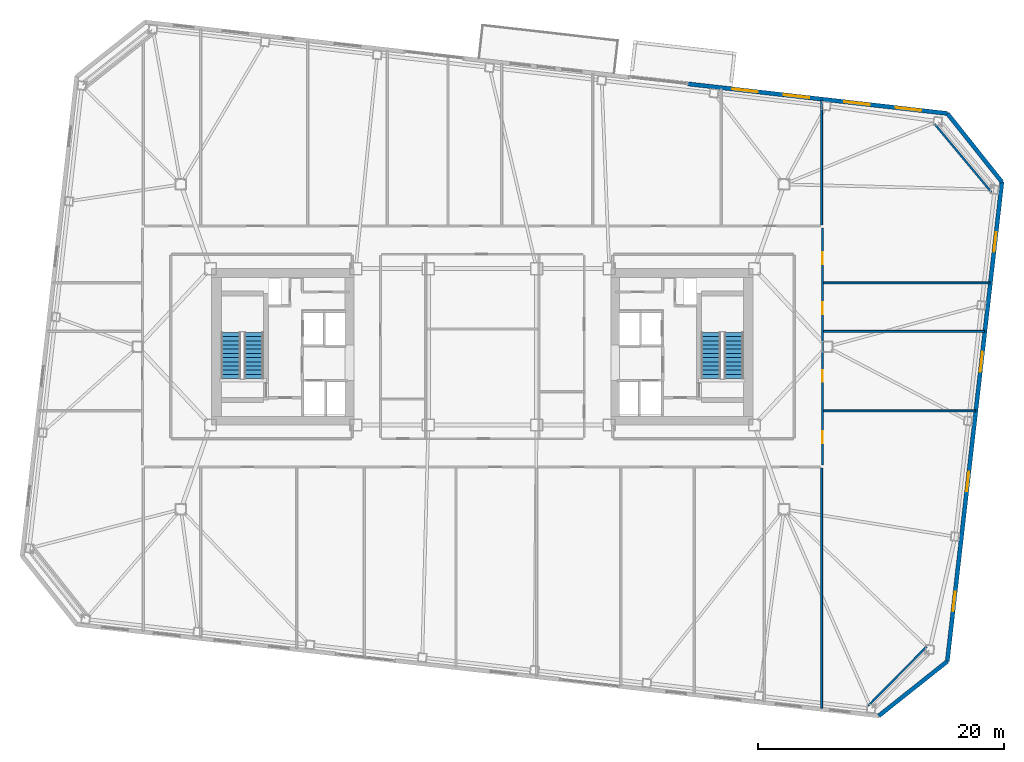
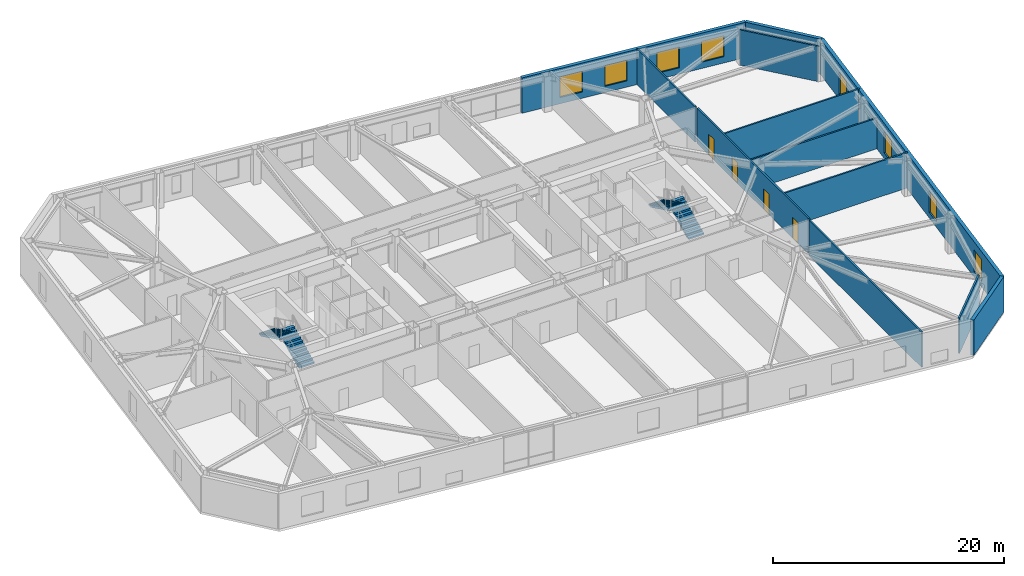
# One storey, part 15 of 21: 12 walls, 8 windows, 4 doors, 4 stair flights, 12 openings, 2 elements without a shape of their own.
"""IFC4 building model written with IfcOpenShell, lengths in metres."""

from ifc_helpers import new_model, si_unit, direction, frame, frame_2d, origin, place, context, subcontext, project, spatial, polyline, rectangle, outline, extrude, material, layer, layer_set, type_object, element, fill, aggregate, save


model = new_model("IFC4")

# Units and contexts
model_context = context("Model", 3, precision=1e-05, world=origin(), true_north=direction((0.0, 1.0)))
body_context = subcontext(model_context, "Body", "Model", "MODEL_VIEW")
ifc_project = project(units=[si_unit("LENGTHUNIT", "METRE"), si_unit("AREAUNIT", "SQUARE_METRE"), si_unit("VOLUMEUNIT", "CUBIC_METRE"), si_unit("PLANEANGLEUNIT", "RADIAN"), si_unit("MASSUNIT", "GRAM", prefix="KILO")], contexts=[model_context])

# Site, building, storey
site_placement = place(None, origin())
site = spatial("IfcSite", under=ifc_project, at=site_placement, CompositionType="ELEMENT")
building_placement = place(site_placement, origin())
building = spatial("IfcBuilding", under=site, at=building_placement, Name="Tavrogorsk Clinical Tower", CompositionType="ELEMENT")
storey_placement = place(building_placement, frame((0.0, 0.0, 125.39990234375)))
storey = spatial("IfcBuildingStorey", under=building, at=storey_placement, Name="L28", CompositionType="ELEMENT", Elevation=125.39990234375)

# Walls
ifc_material_1 = material(Name="Lightweight concrete blockwork B15", Category="masonry")
ifc_layer_1 = layer(ifc_material_1, 0.159912109375)
ifc_layer_set_1 = layer_set([ifc_layer_1], Name="Lightweight concrete blockwork B15")
wall_type_1 = type_object("IfcWallType", Name="PartitionWall_160", PredefinedType="PARTITIONING", material=ifc_layer_set_1)
wall_1_placement = place(storey_placement, frame((31.34130859375, -29.162109375, 0.0), z_axis=(0.0, 0.0, 1.0), x_axis=(0.702905898933, 0.711282853192, 0.0)))
element("IfcWall", 1, at=wall_1_placement, inside=storey, type_object=wall_type_1, Name="L28 Corner Exoskeleton Brace Furring Wall 1", PredefinedType="PARTITIONING", context=body_context, shape_type="SweptSolid", body=[
    extrude(rectangle(XDim=6.761474609375, YDim=0.159912109375, at=frame_2d((3.380859375, 0.0))), origin(), (0.0, 0.0, 1.0), 3.739990234375),
])
wall_2_placement = place(storey_placement, frame((41.36083984375, 12.555908203125, 0.0), z_axis=(0.0, 0.0, 1.0), x_axis=(-0.640217638562, 0.768193579298, 0.0)))
element("IfcWall", 2, at=wall_2_placement, inside=storey, type_object=wall_type_1, Name="L28 Corner Exoskeleton Brace Furring Wall 2", PredefinedType="PARTITIONING", context=body_context, shape_type="SweptSolid", body=[
    extrude(rectangle(XDim=7.224365234375, YDim=0.159912109375, at=frame_2d((3.6123046875, 0.0))), origin(), (0.0, 0.0, 1.0), 3.739990234375),
])

# Wall, openings, doors
wall_3_placement = place(storey_placement, frame((27.6298828125, 9.6650390625, 0.0), z_axis=(0.0, 0.0, 1.0), x_axis=(0.0, -1.0, 0.0)))
wall_3 = element("IfcWall", 3, at=wall_3_placement, inside=storey, type_object=wall_type_1, Name="L28 Corridor Partition 03", PredefinedType="PARTITIONING", context=body_context, shape_type="SweptSolid", body=[
    extrude(rectangle(XDim=19.280029296875, YDim=0.159912109375, at=frame_2d((9.64013671875, 0.0))), origin(), (0.0, 0.0, 1.0), 3.739990234375),
])
opening_1_placement = place(wall_3_placement, frame((16.531005859375, 0.0, 0.0)))
opening_1 = element("IfcOpeningElement", 4, at=opening_1_placement, cuts=wall_3, Name="Opening ID-02", PredefinedType="OPENING", context=body_context, shape_type="SweptSolid", body=[
    extrude(rectangle(XDim=0.949951171875, YDim=2.199951171875, at=frame_2d((0.47509765625, 1.10009765625))), frame((0.0, 0.08984375, 0.0), z_axis=(0.0, -1.0, 0.0), x_axis=(1.0, 0.0, 0.0)), (0.0, 0.0, 1.0), 0.179931640625),
])
opening_2_placement = place(wall_3_placement, frame((11.550048828125, 0.0, 0.0)))
opening_2 = element("IfcOpeningElement", 5, at=opening_2_placement, cuts=wall_3, Name="Opening ID-02", PredefinedType="OPENING", context=body_context, shape_type="SweptSolid", body=[
    extrude(rectangle(XDim=0.949951171875, YDim=2.199951171875, at=frame_2d((0.47509765625, 1.10009765625))), frame((0.0, 0.08984375, 0.0), z_axis=(0.0, -1.0, 0.0), x_axis=(1.0, 0.0, 0.0)), (0.0, 0.0, 1.0), 0.179931640625),
])
opening_3_placement = place(wall_3_placement, frame((6.050048828125, 0.0, 0.0)))
opening_3 = element("IfcOpeningElement", 6, at=opening_3_placement, cuts=wall_3, Name="Opening ID-02", PredefinedType="OPENING", context=body_context, shape_type="SweptSolid", body=[
    extrude(rectangle(XDim=0.949951171875, YDim=2.199951171875, at=frame_2d((0.47509765625, 1.10009765625))), frame((0.0, 0.08984375, 0.0), z_axis=(0.0, -1.0, 0.0), x_axis=(1.0, 0.0, 0.0)), (0.0, 0.0, 1.0), 0.179931640625),
])
opening_4_placement = place(wall_3_placement, frame((1.994140625, 0.0, 0.0)))
opening_4 = element("IfcOpeningElement", 7, at=opening_4_placement, cuts=wall_3, Name="Opening ID-02", PredefinedType="OPENING", context=body_context, shape_type="SweptSolid", body=[
    extrude(rectangle(XDim=0.949951171875, YDim=2.199951171875, at=frame_2d((0.47509765625, 1.10009765625))), frame((0.0, 0.08984375, 0.0), z_axis=(0.0, -1.0, 0.0), x_axis=(1.0, 0.0, 0.0)), (0.0, 0.0, 1.0), 0.179931640625),
])
ifc_material_2 = material(Name="Laminated timber leaf on aluminium frame", Category="wood")
door_type = type_object("IfcDoorType", Name="InteriorDoor_ID02_950", OperationType="NOTDEFINED", PredefinedType="DOOR", material=ifc_material_2)
door_1_placement = place(opening_1_placement, origin())
door_1 = element("IfcDoor", 8, at=door_1_placement, inside=storey, type_object=door_type, Name="L28 E Senior Clinician Suite 1 Door", OperationType="SINGLE_SWING_RIGHT", OverallHeight=2.199951171875, OverallWidth=0.949951171875, PredefinedType="DOOR", context=body_context, shape_type="SweptSolid", body=[
    extrude(rectangle(XDim=0.949951171875, YDim=2.199951171875, at=frame_2d((0.47509765625, 1.10009765625))), frame((0.0, 0.02490234375, 0.0), z_axis=(0.0, -1.0, 0.0), x_axis=(1.0, 0.0, 0.0)), (0.0, 0.0, 1.0), 0.050048828125),
])
fill(opening_1, door_1)
door_2_placement = place(opening_2_placement, origin())
door_2 = element("IfcDoor", 9, at=door_2_placement, inside=storey, type_object=door_type, Name="L28 E Multidisciplinary Seminar Suite 2 Door", OperationType="SINGLE_SWING_LEFT", OverallHeight=2.199951171875, OverallWidth=0.949951171875, PredefinedType="DOOR", context=body_context, shape_type="SweptSolid", body=[
    extrude(rectangle(XDim=0.949951171875, YDim=2.199951171875, at=frame_2d((0.47509765625, 1.10009765625))), frame((0.0, 0.02490234375, 0.0), z_axis=(0.0, -1.0, 0.0), x_axis=(1.0, 0.0, 0.0)), (0.0, 0.0, 1.0), 0.050048828125),
])
fill(opening_2, door_2)
door_3_placement = place(opening_3_placement, origin())
door_3 = element("IfcDoor", 10, at=door_3_placement, inside=storey, type_object=door_type, Name="L28 E Specialist Consultation Room 3 Door", OperationType="SINGLE_SWING_RIGHT", OverallHeight=2.199951171875, OverallWidth=0.949951171875, PredefinedType="DOOR", context=body_context, shape_type="SweptSolid", body=[
    extrude(rectangle(XDim=0.949951171875, YDim=2.199951171875, at=frame_2d((0.47509765625, 1.10009765625))), frame((0.0, 0.02490234375, 0.0), z_axis=(0.0, -1.0, 0.0), x_axis=(1.0, 0.0, 0.0)), (0.0, 0.0, 1.0), 0.050048828125),
])
fill(opening_3, door_3)
door_4_placement = place(opening_4_placement, origin())
door_4 = element("IfcDoor", 11, at=door_4_placement, inside=storey, type_object=door_type, Name="L28 E Clinical Fellows' Study 4 Door", OperationType="SINGLE_SWING_LEFT", OverallHeight=2.199951171875, OverallWidth=0.949951171875, PredefinedType="DOOR", context=body_context, shape_type="SweptSolid", body=[
    extrude(rectangle(XDim=0.949951171875, YDim=2.199951171875, at=frame_2d((0.47509765625, 1.10009765625))), frame((0.0, 0.02490234375, 0.0), z_axis=(0.0, -1.0, 0.0), x_axis=(1.0, 0.0, 0.0)), (0.0, 0.0, 1.0), 0.050048828125),
])
fill(opening_4, door_4)

# Walls
wall_4_placement = place(storey_placement, frame((27.550048828125, 9.9150390625, 0.0), z_axis=(0.0, 0.0, 1.0), x_axis=(0.0, 1.0, 0.0)))
element("IfcWall", 12, at=wall_4_placement, inside=storey, type_object=wall_type_1, Name="L28 NE Wing Closure Partition", PredefinedType="PARTITIONING", context=body_context, shape_type="SweptSolid", body=[
    extrude(rectangle(XDim=10.138427734375, YDim=0.159912109375, at=frame_2d((5.0693359375, 0.0))), origin(), (0.0, 0.0, 1.0), 3.739990234375),
])
wall_5_placement = place(storey_placement, frame((27.550048828125, -29.384521484375, 0.0), z_axis=(0.0, 0.0, 1.0), x_axis=(0.0, 1.0, 0.0)))
element("IfcWall", 13, at=wall_5_placement, inside=storey, type_object=wall_type_1, Name="L28 SE Wing Closure Partition", PredefinedType="PARTITIONING", context=body_context, shape_type="SweptSolid", body=[
    extrude(rectangle(XDim=19.51953125, YDim=0.159912109375, at=frame_2d((9.759765625, 0.0))), origin(), (0.0, 0.0, 1.0), 3.739990234375),
])
wall_6_placement = place(storey_placement, frame((27.715087890625, -5.199951171875, 0.0), z_axis=(0.0, 0.0, 1.0), x_axis=(1.0, 0.0, 0.0)))
element("IfcWall", 14, at=wall_6_placement, inside=storey, type_object=wall_type_1, Name="L28 E Wing Divider 1", PredefinedType="PARTITIONING", context=body_context, shape_type="SweptSolid", body=[
    extrude(rectangle(XDim=12.35205078125, YDim=0.159912109375, at=frame_2d((6.176025390625, 0.0))), origin(), (0.0, 0.0, 1.0), 3.739990234375),
])
wall_7_placement = place(storey_placement, frame((27.715087890625, 1.25, 0.0), z_axis=(0.0, 0.0, 1.0), x_axis=(1.0, 0.0, 0.0)))
element("IfcWall", 15, at=wall_7_placement, inside=storey, type_object=wall_type_1, Name="L28 E Wing Divider 2", PredefinedType="PARTITIONING", context=body_context, shape_type="SweptSolid", body=[
    extrude(rectangle(XDim=13.0869140625, YDim=0.159912109375, at=frame_2d((6.54345703125, 0.0))), origin(), (0.0, 0.0, 1.0), 3.235107421875),
])
wall_8_placement = place(storey_placement, frame((27.715087890625, 5.199951171875, 0.0), z_axis=(0.0, 0.0, 1.0), x_axis=(1.0, 0.0, 0.0)))
element("IfcWall", 16, at=wall_8_placement, inside=storey, type_object=wall_type_1, Name="L28 E Wing Divider 3", PredefinedType="PARTITIONING", context=body_context, shape_type="SweptSolid", body=[
    extrude(rectangle(XDim=13.537109375, YDim=0.159912109375, at=frame_2d((6.7685546875, 0.0))), origin(), (0.0, 0.0, 1.0), 3.739990234375),
])

# Wall, openings, windows
ifc_material_3 = material(Name="Precast concrete B45 with limestone cladding", Category="masonry")
ifc_layer_2 = layer(ifc_material_3, 0.340087890625)
ifc_layer_set_2 = layer_set([ifc_layer_2], Name="Precast concrete B45 with limestone cladding")
wall_type_2 = type_object("IfcWallType", Name="PrecastLimestoneWall_340", PredefinedType="STANDARD", material=ifc_layer_set_2)
wall_9_placement = place(storey_placement, frame((37.77734375, 18.95849609375, 0.0), z_axis=(0.0, 0.0, 1.0), x_axis=(-0.993571362037, 0.113207546299, 0.0)))
wall_9 = element("IfcWall", 17, at=wall_9_placement, inside=storey, type_object=wall_type_2, Name="L28 N Limestone Facade Wall 1", PredefinedType="STANDARD", context=body_context, shape_type="SweptSolid", body=[
    extrude(rectangle(XDim=21.222900390625, YDim=0.340087890625, at=frame_2d((10.611328125, 0.0))), origin(), (0.0, 0.0, 1.0), 3.739990234375),
])
opening_5_placement = place(wall_9_placement, frame((15.50634765625, 0.0, 0.669921875)))
opening_5 = element("IfcOpeningElement", 18, at=opening_5_placement, cuts=wall_9, Name="Opening WN-03", PredefinedType="OPENING", context=body_context, shape_type="SweptSolid", body=[
    extrude(rectangle(XDim=2.10009765625, YDim=2.199951171875, at=frame_2d((1.050048828125, 1.10009765625))), frame((0.0, 0.179931640625, 0.0), z_axis=(0.0, -1.0, 0.0), x_axis=(1.0, 0.0, 0.0)), (0.0, 0.0, 1.0), 0.360107421875),
])
opening_6_placement = place(wall_9_placement, frame((11.284912109375, 0.0, 0.669921875)))
opening_6 = element("IfcOpeningElement", 19, at=opening_6_placement, cuts=wall_9, Name="Opening WN-03", PredefinedType="OPENING", context=body_context, shape_type="SweptSolid", body=[
    extrude(rectangle(XDim=2.10009765625, YDim=2.199951171875, at=frame_2d((1.050048828125, 1.10009765625))), frame((0.0, 0.179931640625, 0.0), z_axis=(0.0, -1.0, 0.0), x_axis=(1.0, 0.0, 0.0)), (0.0, 0.0, 1.0), 0.360107421875),
])
opening_7_placement = place(wall_9_placement, frame((6.335693359375, 0.0, 0.669921875)))
opening_7 = element("IfcOpeningElement", 20, at=opening_7_placement, cuts=wall_9, Name="Opening WN-03", PredefinedType="OPENING", context=body_context, shape_type="SweptSolid", body=[
    extrude(rectangle(XDim=2.10009765625, YDim=2.199951171875, at=frame_2d((1.050048828125, 1.10009765625))), frame((0.0, 0.179931640625, 0.0), z_axis=(0.0, -1.0, 0.0), x_axis=(1.0, 0.0, 0.0)), (0.0, 0.0, 1.0), 0.360107421875),
])
opening_8_placement = place(wall_9_placement, frame((2.125244140625, 0.0, 0.669921875)))
opening_8 = element("IfcOpeningElement", 21, at=opening_8_placement, cuts=wall_9, Name="Opening WN-03", PredefinedType="OPENING", context=body_context, shape_type="SweptSolid", body=[
    extrude(rectangle(XDim=2.10009765625, YDim=2.199951171875, at=frame_2d((1.050048828125, 1.10009765625))), frame((0.0, 0.179931640625, 0.0), z_axis=(0.0, -1.0, 0.0), x_axis=(1.0, 0.0, 0.0)), (0.0, 0.0, 1.0), 0.360107421875),
])
ifc_material_4 = material(Name="Thermally broken aluminium frame and triple IGU", Category="aluminium")
window_type_1 = type_object("IfcWindowType", Name="PatientTwinWin_2100x2200", PartitioningType="DOUBLE_PANEL_VERTICAL", PredefinedType="WINDOW", material=ifc_material_4)
window_1_placement = place(opening_5_placement, origin())
window_1 = element("IfcWindow", 22, at=window_1_placement, inside=storey, type_object=window_type_1, Name="L28 N Chicago Window 07", OverallHeight=2.199951171875, OverallWidth=2.10009765625, PartitioningType="SINGLE_PANEL", PredefinedType="WINDOW", context=body_context, shape_type="SweptSolid", body=[
    extrude(rectangle(XDim=2.10009765625, YDim=2.199951171875, at=frame_2d((1.050048828125, 1.10009765625))), frame((0.0, 0.030029296875, 0.0), z_axis=(0.0, -1.0, 0.0), x_axis=(1.0, 0.0, 0.0)), (0.0, 0.0, 1.0), 0.06005859375),
])
fill(opening_5, window_1)
window_2_placement = place(opening_6_placement, origin())
window_2 = element("IfcWindow", 23, at=window_2_placement, inside=storey, type_object=window_type_1, Name="L28 N Chicago Window 08", OverallHeight=2.199951171875, OverallWidth=2.10009765625, PartitioningType="SINGLE_PANEL", PredefinedType="WINDOW", context=body_context, shape_type="SweptSolid", body=[
    extrude(rectangle(XDim=2.10009765625, YDim=2.199951171875, at=frame_2d((1.050048828125, 1.10009765625))), frame((0.0, 0.030029296875, 0.0), z_axis=(0.0, -1.0, 0.0), x_axis=(1.0, 0.0, 0.0)), (0.0, 0.0, 1.0), 0.06005859375),
])
fill(opening_6, window_2)
window_3_placement = place(opening_7_placement, origin())
window_3 = element("IfcWindow", 24, at=window_3_placement, inside=storey, type_object=window_type_1, Name="L28 N Chicago Window 09", OverallHeight=2.199951171875, OverallWidth=2.10009765625, PartitioningType="SINGLE_PANEL", PredefinedType="WINDOW", context=body_context, shape_type="SweptSolid", body=[
    extrude(rectangle(XDim=2.10009765625, YDim=2.199951171875, at=frame_2d((1.050048828125, 1.10009765625))), frame((0.0, 0.030029296875, 0.0), z_axis=(0.0, -1.0, 0.0), x_axis=(1.0, 0.0, 0.0)), (0.0, 0.0, 1.0), 0.06005859375),
])
fill(opening_7, window_3)
window_4_placement = place(opening_8_placement, origin())
window_4 = element("IfcWindow", 25, at=window_4_placement, inside=storey, type_object=window_type_1, Name="L28 N Chicago Window 10", OverallHeight=2.199951171875, OverallWidth=2.10009765625, PartitioningType="SINGLE_PANEL", PredefinedType="WINDOW", context=body_context, shape_type="SweptSolid", body=[
    extrude(rectangle(XDim=2.10009765625, YDim=2.199951171875, at=frame_2d((1.050048828125, 1.10009765625))), frame((0.0, 0.030029296875, 0.0), z_axis=(0.0, -1.0, 0.0), x_axis=(1.0, 0.0, 0.0)), (0.0, 0.0, 1.0), 0.06005859375),
])
fill(opening_8, window_4)

wall_10_placement = place(storey_placement, frame((37.76806640625, -25.556396484375, 0.0), z_axis=(0.0, 0.0, 1.0), x_axis=(0.113201605824, 0.993572038877, 0.0)))
wall_10 = element("IfcWall", 26, at=wall_10_placement, inside=storey, type_object=wall_type_2, Name="L28 E Pleated Limestone Wing Wall", PredefinedType="STANDARD", context=body_context, shape_type="SweptSolid", body=[
    extrude(rectangle(XDim=39.199951171875, YDim=0.340087890625, at=frame_2d((19.60009765625, 0.0))), origin(), (0.0, 0.0, 1.0), 3.739990234375),
])
opening_9_placement = place(wall_10_placement, frame((4.10009765625, 0.0, 0.580078125)))
opening_9 = element("IfcOpeningElement", 27, at=opening_9_placement, cuts=wall_10, Name="Opening WN-07", PredefinedType="OPENING", context=body_context, shape_type="SweptSolid", body=[
    extrude(rectangle(XDim=1.60009765625, YDim=2.300048828125, at=frame_2d((0.800048828125, 1.14990234375))), frame((0.0, 0.179931640625, 0.0), z_axis=(0.0, -1.0, 0.0), x_axis=(1.0, 0.0, 0.0)), (0.0, 0.0, 1.0), 0.360107421875),
])
opening_10_placement = place(wall_10_placement, frame((13.89990234375, 0.0, 0.580078125)))
opening_10 = element("IfcOpeningElement", 28, at=opening_10_placement, cuts=wall_10, Name="Opening WN-07", PredefinedType="OPENING", context=body_context, shape_type="SweptSolid", body=[
    extrude(rectangle(XDim=1.60009765625, YDim=2.300048828125, at=frame_2d((0.800048828125, 1.14990234375))), frame((0.0, 0.179931640625, 0.0), z_axis=(0.0, -1.0, 0.0), x_axis=(1.0, 0.0, 0.0)), (0.0, 0.0, 1.0), 0.360107421875),
])
opening_11_placement = place(wall_10_placement, frame((23.699951171875, 0.0, 0.580078125)))
opening_11 = element("IfcOpeningElement", 29, at=opening_11_placement, cuts=wall_10, Name="Opening WN-07", PredefinedType="OPENING", context=body_context, shape_type="SweptSolid", body=[
    extrude(rectangle(XDim=1.60009765625, YDim=2.300048828125, at=frame_2d((0.800048828125, 1.14990234375))), frame((0.0, 0.179931640625, 0.0), z_axis=(0.0, -1.0, 0.0), x_axis=(1.0, 0.0, 0.0)), (0.0, 0.0, 1.0), 0.360107421875),
])
opening_12_placement = place(wall_10_placement, frame((33.5, 0.0, 0.580078125)))
opening_12 = element("IfcOpeningElement", 30, at=opening_12_placement, cuts=wall_10, Name="Opening WN-07", PredefinedType="OPENING", context=body_context, shape_type="SweptSolid", body=[
    extrude(rectangle(XDim=1.60009765625, YDim=2.300048828125, at=frame_2d((0.800048828125, 1.14990234375))), frame((0.0, 0.179931640625, 0.0), z_axis=(0.0, -1.0, 0.0), x_axis=(1.0, 0.0, 0.0)), (0.0, 0.0, 1.0), 0.360107421875),
])
ifc_material_5 = material(Name="Thermally broken aluminium frame and triple IGU", Category="aluminium")
window_type_2 = type_object("IfcWindowType", Name="PleatSlotWin_1600x2300", PartitioningType="SINGLE_PANEL", PredefinedType="WINDOW", material=ifc_material_5)
window_5_placement = place(opening_9_placement, origin())
window_5 = element("IfcWindow", 31, at=window_5_placement, inside=storey, type_object=window_type_2, Name="L28 E Pleat Slot Window 1", OverallHeight=2.300048828125, OverallWidth=1.60009765625, PartitioningType="SINGLE_PANEL", PredefinedType="WINDOW", context=body_context, shape_type="SweptSolid", body=[
    extrude(rectangle(XDim=1.60009765625, YDim=2.300048828125, at=frame_2d((0.800048828125, 1.14990234375))), frame((0.0, 0.030029296875, 0.0), z_axis=(0.0, -1.0, 0.0), x_axis=(1.0, 0.0, 0.0)), (0.0, 0.0, 1.0), 0.06005859375),
])
fill(opening_9, window_5)
window_6_placement = place(opening_10_placement, origin())
window_6 = element("IfcWindow", 32, at=window_6_placement, inside=storey, type_object=window_type_2, Name="L28 E Pleat Slot Window 2", OverallHeight=2.300048828125, OverallWidth=1.60009765625, PartitioningType="SINGLE_PANEL", PredefinedType="WINDOW", context=body_context, shape_type="SweptSolid", body=[
    extrude(rectangle(XDim=1.60009765625, YDim=2.300048828125, at=frame_2d((0.800048828125, 1.14990234375))), frame((0.0, 0.030029296875, 0.0), z_axis=(0.0, -1.0, 0.0), x_axis=(1.0, 0.0, 0.0)), (0.0, 0.0, 1.0), 0.06005859375),
])
fill(opening_10, window_6)
window_7_placement = place(opening_11_placement, origin())
window_7 = element("IfcWindow", 33, at=window_7_placement, inside=storey, type_object=window_type_2, Name="L28 E Pleat Slot Window 3", OverallHeight=2.300048828125, OverallWidth=1.60009765625, PartitioningType="SINGLE_PANEL", PredefinedType="WINDOW", context=body_context, shape_type="SweptSolid", body=[
    extrude(rectangle(XDim=1.60009765625, YDim=2.300048828125, at=frame_2d((0.800048828125, 1.14990234375))), frame((0.0, 0.030029296875, 0.0), z_axis=(0.0, -1.0, 0.0), x_axis=(1.0, 0.0, 0.0)), (0.0, 0.0, 1.0), 0.06005859375),
])
fill(opening_11, window_7)
window_8_placement = place(opening_12_placement, origin())
window_8 = element("IfcWindow", 34, at=window_8_placement, inside=storey, type_object=window_type_2, Name="L28 E Pleat Slot Window 4", OverallHeight=2.300048828125, OverallWidth=1.60009765625, PartitioningType="SINGLE_PANEL", PredefinedType="WINDOW", context=body_context, shape_type="SweptSolid", body=[
    extrude(rectangle(XDim=1.60009765625, YDim=2.300048828125, at=frame_2d((0.800048828125, 1.14990234375))), frame((0.0, 0.030029296875, 0.0), z_axis=(0.0, -1.0, 0.0), x_axis=(1.0, 0.0, 0.0)), (0.0, 0.0, 1.0), 0.06005859375),
])
fill(opening_12, window_8)

# Walls
wall_11_placement = place(storey_placement, frame((32.200927734375, -29.984619140625, 0.0), z_axis=(0.0, 0.0, 1.0), x_axis=(0.78261359446, 0.622507800567, 0.0)))
element("IfcWall", 35, at=wall_11_placement, inside=storey, type_object=wall_type_2, Name="L28 Chamfered Corner Wall 1", PredefinedType="STANDARD", context=body_context, shape_type="SweptSolid", body=[
    extrude(rectangle(XDim=7.113525390625, YDim=0.340087890625, at=frame_2d((3.556640625, 0.0))), origin(), (0.0, 0.0, 1.0), 3.739990234375),
])
wall_12_placement = place(storey_placement, frame((42.20556640625, 13.3916015625, 0.0), z_axis=(0.0, 0.0, 1.0), x_axis=(-0.622524521309, 0.782600294128, 0.0)))
element("IfcWall", 36, at=wall_12_placement, inside=storey, type_object=wall_type_2, Name="L28 Chamfered Corner Wall 2", PredefinedType="STANDARD", context=body_context, shape_type="SweptSolid", body=[
    extrude(rectangle(XDim=7.11328125, YDim=0.340087890625, at=frame_2d((3.556640625, 0.0))), origin(), (0.0, 0.0, 1.0), 3.739990234375),
])

# Stair, stair flights
ifc_material_6 = material(Name="Concrete B60", Category="concrete")
stair_type = type_object("IfcStairType", Name="CoreStairAssembly", PredefinedType="HALF_TURN_STAIR", material=ifc_material_6)
stair_1_placement = place(storey_placement, origin())
stair_1 = element("IfcStair", 37, at=stair_1_placement, inside=storey, type_object=stair_type, Name="L28 ST-W", PredefinedType="HALF_TURN_STAIR")
ifc_material_7 = material(Name="Concrete B60", Category="concrete")
stair_flight_type = type_object("IfcStairFlightType", Name="CoreStairFlight", PredefinedType="STRAIGHT", material=ifc_material_7)
stair_flight_1_placement = place(storey_placement, frame((-18.574951171875, -2.574951171875, 0.0), z_axis=(0.0, 0.0, 1.0), x_axis=(0.0, 1.0, 0.0)))
stair_flight_1 = element("IfcStairFlight", 38, at=stair_flight_1_placement, type_object=stair_flight_type, Name="ST-W flight 1", NumberOfRisers=12, NumberOfTreads=11, PredefinedType="STRAIGHT", RiserHeight=0.166666667, TreadLength=0.34, context=body_context, shape_type="SweptSolid", body=[
    extrude(outline(polyline([(0.0, 0.0), (0.0, 0.166748046875), (0.340087890625, 0.166748046875), (0.340087890625, 0.333251953125), (0.679931640625, 0.333251953125), (0.679931640625, 0.5), (1.02001953125, 0.5), (1.02001953125, 0.666748046875), (1.360107421875, 0.666748046875), (1.360107421875, 0.833251953125), (1.699951171875, 0.833251953125), (1.699951171875, 1.0), (2.0400390625, 1.0), (2.0400390625, 1.166748046875), (2.3798828125, 1.166748046875), (2.3798828125, 1.333251953125), (2.719970703125, 1.333251953125), (2.719970703125, 1.5), (3.06005859375, 1.5), (3.06005859375, 1.666748046875), (3.39990234375, 1.666748046875), (3.39990234375, 1.833251953125), (3.739990234375, 1.833251953125), (3.739990234375, 2.0), (3.739990234375, 1.66650390625), (0.340576171875, 0.0), (0.0, 0.0)])), frame((0.0, 0.77490234375, 0.0), z_axis=(0.0, -1.0, 0.0), x_axis=(1.0, 0.0, 0.0)), (0.0, 0.0, 1.0), 1.550048828125),
])
stair_flight_2_placement = place(storey_placement, frame((-20.425048828125, 1.1650390625, 2.0), z_axis=(0.0, 0.0, 1.0), x_axis=(0.0, -1.0, 0.0)))
stair_flight_2 = element("IfcStairFlight", 39, at=stair_flight_2_placement, type_object=stair_flight_type, Name="ST-W flight 2", NumberOfRisers=12, NumberOfTreads=11, PredefinedType="STRAIGHT", RiserHeight=0.166666667, TreadLength=0.34, context=body_context, shape_type="SweptSolid", body=[
    extrude(outline(polyline([(0.0, 0.0), (0.0, 0.166748046875), (0.340087890625, 0.166748046875), (0.340087890625, 0.333251953125), (0.679931640625, 0.333251953125), (0.679931640625, 0.5), (1.02001953125, 0.5), (1.02001953125, 0.666748046875), (1.360107421875, 0.666748046875), (1.360107421875, 0.833251953125), (1.699951171875, 0.833251953125), (1.699951171875, 1.0), (2.0400390625, 1.0), (2.0400390625, 1.166748046875), (2.3798828125, 1.166748046875), (2.3798828125, 1.333251953125), (2.719970703125, 1.333251953125), (2.719970703125, 1.5), (3.06005859375, 1.5), (3.06005859375, 1.666748046875), (3.39990234375, 1.666748046875), (3.39990234375, 1.833251953125), (3.739990234375, 1.833251953125), (3.739990234375, 2.0), (3.739990234375, 1.66650390625), (0.340576171875, 0.0), (0.0, 0.0)])), frame((0.0, 0.77490234375, 0.0), z_axis=(0.0, -1.0, 0.0), x_axis=(1.0, 0.0, 0.0)), (0.0, 0.0, 1.0), 1.550048828125),
])
aggregate(stair_1, [stair_flight_1, stair_flight_2])

stair_2_placement = place(storey_placement, origin())
stair_2 = element("IfcStair", 40, at=stair_2_placement, inside=storey, type_object=stair_type, Name="L28 ST-E", PredefinedType="HALF_TURN_STAIR")
stair_flight_3_placement = place(storey_placement, frame((20.425048828125, -2.574951171875, 0.0), z_axis=(0.0, 0.0, 1.0), x_axis=(0.0, 1.0, 0.0)))
stair_flight_3 = element("IfcStairFlight", 41, at=stair_flight_3_placement, type_object=stair_flight_type, Name="ST-E flight 1", NumberOfRisers=12, NumberOfTreads=11, PredefinedType="STRAIGHT", RiserHeight=0.166666667, TreadLength=0.34, context=body_context, shape_type="SweptSolid", body=[
    extrude(outline(polyline([(0.0, 0.0), (0.0, 0.166748046875), (0.340087890625, 0.166748046875), (0.340087890625, 0.333251953125), (0.679931640625, 0.333251953125), (0.679931640625, 0.5), (1.02001953125, 0.5), (1.02001953125, 0.666748046875), (1.360107421875, 0.666748046875), (1.360107421875, 0.833251953125), (1.699951171875, 0.833251953125), (1.699951171875, 1.0), (2.0400390625, 1.0), (2.0400390625, 1.166748046875), (2.3798828125, 1.166748046875), (2.3798828125, 1.333251953125), (2.719970703125, 1.333251953125), (2.719970703125, 1.5), (3.06005859375, 1.5), (3.06005859375, 1.666748046875), (3.39990234375, 1.666748046875), (3.39990234375, 1.833251953125), (3.739990234375, 1.833251953125), (3.739990234375, 2.0), (3.739990234375, 1.66650390625), (0.340576171875, 0.0), (0.0, 0.0)])), frame((0.0, 0.77490234375, 0.0), z_axis=(0.0, -1.0, 0.0), x_axis=(1.0, 0.0, 0.0)), (0.0, 0.0, 1.0), 1.550048828125),
])
stair_flight_4_placement = place(storey_placement, frame((18.574951171875, 1.1650390625, 2.0), z_axis=(0.0, 0.0, 1.0), x_axis=(0.0, -1.0, 0.0)))
stair_flight_4 = element("IfcStairFlight", 42, at=stair_flight_4_placement, type_object=stair_flight_type, Name="ST-E flight 2", NumberOfRisers=12, NumberOfTreads=11, PredefinedType="STRAIGHT", RiserHeight=0.166666667, TreadLength=0.34, context=body_context, shape_type="SweptSolid", body=[
    extrude(outline(polyline([(0.0, 0.0), (0.0, 0.166748046875), (0.340087890625, 0.166748046875), (0.340087890625, 0.333251953125), (0.679931640625, 0.333251953125), (0.679931640625, 0.5), (1.02001953125, 0.5), (1.02001953125, 0.666748046875), (1.360107421875, 0.666748046875), (1.360107421875, 0.833251953125), (1.699951171875, 0.833251953125), (1.699951171875, 1.0), (2.0400390625, 1.0), (2.0400390625, 1.166748046875), (2.3798828125, 1.166748046875), (2.3798828125, 1.333251953125), (2.719970703125, 1.333251953125), (2.719970703125, 1.5), (3.06005859375, 1.5), (3.06005859375, 1.666748046875), (3.39990234375, 1.666748046875), (3.39990234375, 1.833251953125), (3.739990234375, 1.833251953125), (3.739990234375, 2.0), (3.739990234375, 1.66650390625), (0.340576171875, 0.0), (0.0, 0.0)])), frame((0.0, 0.77490234375, 0.0), z_axis=(0.0, -1.0, 0.0), x_axis=(1.0, 0.0, 0.0)), (0.0, 0.0, 1.0), 1.550048828125),
])
aggregate(stair_2, [stair_flight_3, stair_flight_4])

save(model, "model.ifc")
